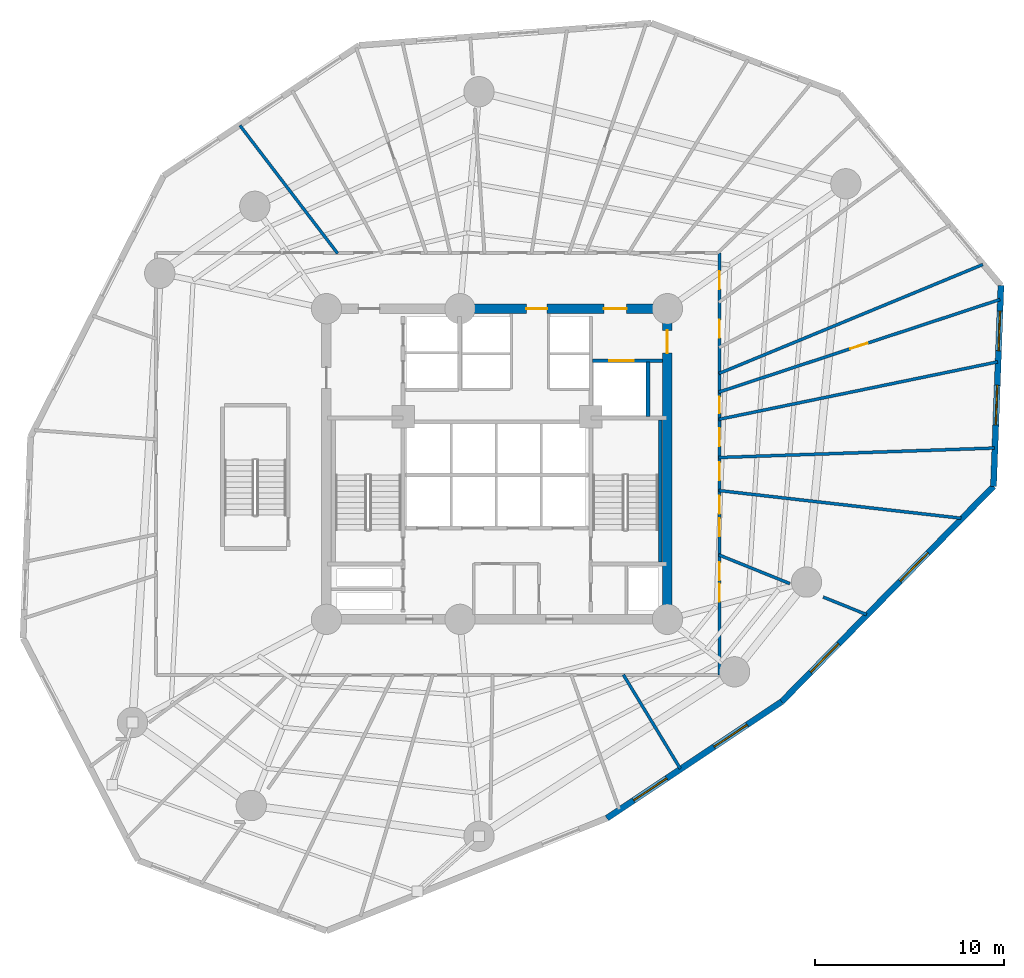
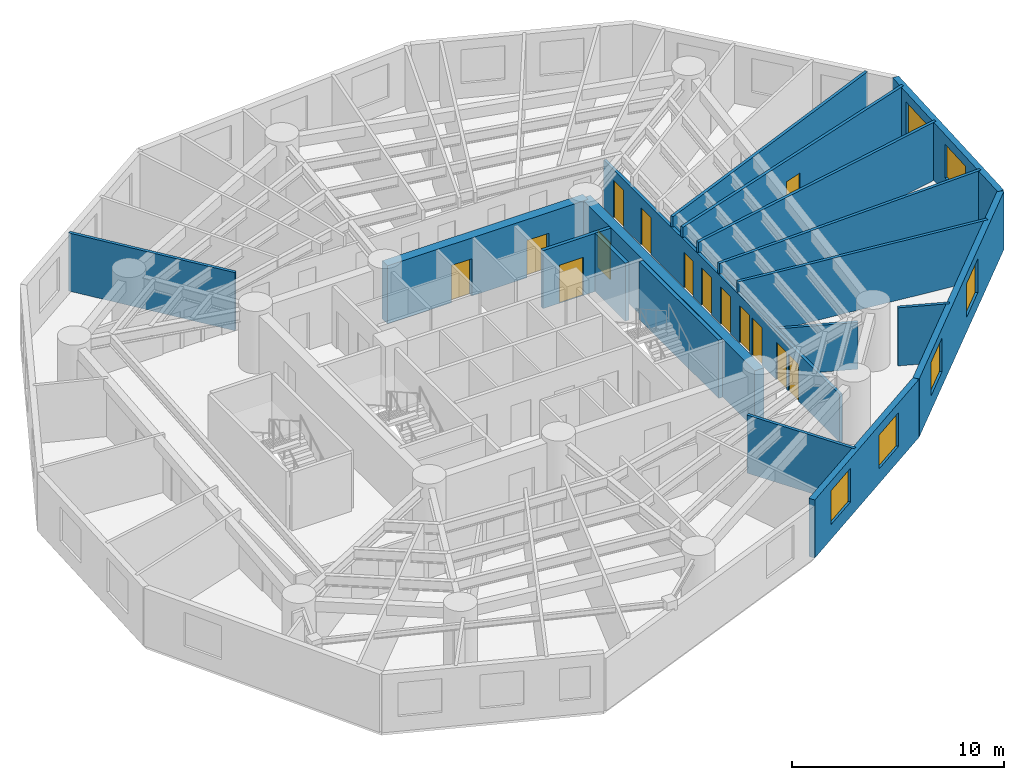
# One storey, part 5 of 8: 18 walls, 14 doors, 6 windows, 20 openings.
"""IFC4 building model written with IfcOpenShell, lengths in metres."""

from ifc_helpers import new_model, si_unit, direction, frame, frame_2d, origin, origin_with_axes, place, context, subcontext, project, spatial, rectangle, extrude, source, transform, mapped, material, layer, layer_set, type_object, element, fill, save


model = new_model("IFC4")

# Units and contexts
model_context = context("Model", 3, precision=1e-05, world=origin(), true_north=direction((0.0, 1.0)))
body_context = subcontext(model_context, "Body", "Model", "MODEL_VIEW")
ifc_project = project(units=[si_unit("LENGTHUNIT", "METRE"), si_unit("AREAUNIT", "SQUARE_METRE"), si_unit("VOLUMEUNIT", "CUBIC_METRE"), si_unit("PLANEANGLEUNIT", "RADIAN"), si_unit("MASSUNIT", "GRAM", prefix="KILO")], contexts=[model_context])

# Site, building, storey
site_placement = place(None, origin())
site = spatial("IfcSite", under=ifc_project, at=site_placement, CompositionType="ELEMENT")
building_placement = place(site_placement, origin())
building = spatial("IfcBuilding", under=site, at=building_placement, Name="Karkom Vertical University and Central Library", CompositionType="ELEMENT")
storey_placement = place(building_placement, frame((0.0, 0.0, 40.89990234375)))
storey = spatial("IfcBuildingStorey", under=building, at=storey_placement, Name="L10", CompositionType="ELEMENT", Elevation=40.89990234375)

# Wall, openings, windows
ifc_material_1 = material(Name="Brick-faced precast concrete C45/55", Category="masonry")
ifc_layer_1 = layer(ifc_material_1, 0.320068359375)
ifc_layer_set_1 = layer_set([ifc_layer_1], Name="Brick-faced precast concrete C45/55")
wall_type_1 = type_object("IfcWallType", Name="ENV-WL-BRK-320", PredefinedType="SOLIDWALL", material=ifc_layer_set_1)
wall_1_placement = place(storey_placement, frame((34.298828125, 7.797119140625, 0.0), z_axis=(0.0, 0.0, 1.0), x_axis=(0.832151862044, 0.554547814437, 0.0)))
wall_1 = element("IfcWall", 1, at=wall_1_placement, inside=storey, type_object=wall_type_1, Name="Level 10 Brick-Faced Precast Facade Wall 07", PredefinedType="SOLIDWALL", context=body_context, shape_type="SweptSolid", body=[
    extrude(rectangle(XDim=11.092529296875, YDim=0.320068359375, at=frame_2d((5.54638671875, 0.0))), origin(), (0.0, 0.0, 1.0), 3.35009765625),
])
opening_1_placement = place(wall_1_placement, frame((1.701171875, 0.0, 0.85009765625)))
opening_1 = element("IfcOpeningElement", 2, at=opening_1_placement, cuts=wall_1, Name="Opening WN-03", PredefinedType="OPENING", context=body_context, shape_type="SweptSolid", body=[
    extrude(rectangle(XDim=2.10009765625, YDim=1.949951171875, at=frame_2d((1.050048828125, 0.97509765625))), frame((0.0, 0.169921875, 0.0), z_axis=(0.0, -1.0, 0.0), x_axis=(1.0, 0.0, 0.0)), (0.0, 0.0, 1.0), 0.340087890625),
])
opening_2_placement = place(wall_1_placement, frame((6.80859375, 0.0, 0.85009765625)))
opening_2 = element("IfcOpeningElement", 3, at=opening_2_placement, cuts=wall_1, Name="Opening WN-03", PredefinedType="OPENING", context=body_context, shape_type="SweptSolid", body=[
    extrude(rectangle(XDim=2.10009765625, YDim=1.949951171875, at=frame_2d((1.050048828125, 0.97509765625))), frame((0.0, 0.169921875, 0.0), z_axis=(0.0, -1.0, 0.0), x_axis=(1.0, 0.0, 0.0)), (0.0, 0.0, 1.0), 0.340087890625),
])
ifc_material_2 = material(Name="Aluminium thermal-break frame with solar-control IGU", Category="aluminium")
window_type = type_object("IfcWindowType", Name="ENV-WIN-WN-03", PartitioningType="SINGLE_PANEL", PredefinedType="WINDOW", material=ifc_material_2)
shared_shape_1 = source(origin_with_axes(), body_context, "Body", "SweptSolid", [
    extrude(rectangle(XDim=2.10009765625, YDim=1.949951171875, at=frame_2d((1.050048828125, 0.97509765625))), frame((0.0, 0.030029296875, 0.0), z_axis=(0.0, -1.0, 0.0), x_axis=(1.0, 0.0, 0.0)), (0.0, 0.0, 1.0), 0.06005859375),
])
window_1_placement = place(opening_1_placement, origin())
window_1 = element("IfcWindow", 4, at=window_1_placement, inside=storey, type_object=window_type, Name="Level 10 Punched Window 7.1", OverallHeight=1.949951171875, OverallWidth=2.10009765625, PartitioningType="SINGLE_PANEL", PredefinedType="WINDOW", context=body_context, shape_type="MappedRepresentation", body=[
    mapped(shared_shape_1, transform((0.0, 0.0, 0.0), scale=1.0)),
])
fill(opening_1, window_1)
window_2_placement = place(opening_2_placement, origin())
window_2 = element("IfcWindow", 5, at=window_2_placement, inside=storey, type_object=window_type, Name="Level 10 Punched Window 7.2", OverallHeight=1.949951171875, OverallWidth=2.10009765625, PartitioningType="SINGLE_PANEL", PredefinedType="WINDOW", context=body_context, shape_type="MappedRepresentation", body=[
    mapped(shared_shape_1, transform((0.0, 0.0, 0.0), scale=1.0)),
])
fill(opening_2, window_2)

wall_2_placement = place(storey_placement, frame((43.529541015625, 13.948486328125, 0.0), z_axis=(0.0, 0.0, 1.0), x_axis=(0.701274555257, 0.712891294763, 0.0)))
wall_2 = element("IfcWall", 6, at=wall_2_placement, inside=storey, type_object=wall_type_1, Name="Level 10 Brick-Faced Precast Facade Wall 08", PredefinedType="SOLIDWALL", context=body_context, shape_type="SweptSolid", body=[
    extrude(rectangle(XDim=15.951416015625, YDim=0.320068359375, at=frame_2d((7.9755859375, 0.0))), origin(), (0.0, 0.0, 1.0), 3.35009765625),
])
opening_3_placement = place(wall_2_placement, frame((2.186767578125, 0.0, 0.85009765625)))
opening_3 = element("IfcOpeningElement", 7, at=opening_3_placement, cuts=wall_2, Name="Opening WN-03", PredefinedType="OPENING", context=body_context, shape_type="SweptSolid", body=[
    extrude(rectangle(XDim=2.10009765625, YDim=1.949951171875, at=frame_2d((1.050048828125, 0.97509765625))), frame((0.0, 0.169921875, 0.0), z_axis=(0.0, -1.0, 0.0), x_axis=(1.0, 0.0, 0.0)), (0.0, 0.0, 1.0), 0.340087890625),
])
opening_4_placement = place(wall_2_placement, frame((8.923095703125, 0.0, 0.85009765625)))
opening_4 = element("IfcOpeningElement", 8, at=opening_4_placement, cuts=wall_2, Name="Opening WN-03", PredefinedType="OPENING", context=body_context, shape_type="SweptSolid", body=[
    extrude(rectangle(XDim=2.10009765625, YDim=1.949951171875, at=frame_2d((1.050048828125, 0.97509765625))), frame((0.0, 0.169921875, 0.0), z_axis=(0.0, -1.0, 0.0), x_axis=(1.0, 0.0, 0.0)), (0.0, 0.0, 1.0), 0.340087890625),
])
window_3_placement = place(opening_3_placement, origin())
window_3 = element("IfcWindow", 9, at=window_3_placement, inside=storey, type_object=window_type, Name="Level 10 Punched Window 8.1", OverallHeight=1.949951171875, OverallWidth=2.10009765625, PartitioningType="SINGLE_PANEL", PredefinedType="WINDOW", context=body_context, shape_type="MappedRepresentation", body=[
    mapped(shared_shape_1, transform((0.0, 0.0, 0.0), scale=1.0)),
])
fill(opening_3, window_3)
window_4_placement = place(opening_4_placement, origin())
window_4 = element("IfcWindow", 10, at=window_4_placement, inside=storey, type_object=window_type, Name="Level 10 Punched Window 8.2", OverallHeight=1.949951171875, OverallWidth=2.10009765625, PartitioningType="SINGLE_PANEL", PredefinedType="WINDOW", context=body_context, shape_type="MappedRepresentation", body=[
    mapped(shared_shape_1, transform((0.0, 0.0, 0.0), scale=1.0)),
])
fill(opening_4, window_4)

wall_3_placement = place(storey_placement, frame((54.7158203125, 25.320068359375, 0.0), z_axis=(0.0, 0.0, 1.0), x_axis=(0.037084791295, 0.99931212254, 0.0)))
wall_3 = element("IfcWall", 11, at=wall_3_placement, inside=storey, type_object=wall_type_1, Name="Level 10 Brick-Faced Precast Facade Wall 09", PredefinedType="SOLIDWALL", context=body_context, shape_type="SweptSolid", body=[
    extrude(rectangle(XDim=10.618896484375, YDim=0.320068359375, at=frame_2d((5.3095703125, 0.0))), origin(), (0.0, 0.0, 1.0), 3.35009765625),
])
opening_5_placement = place(wall_3_placement, frame((3.244873046875, 0.0, 0.85009765625)))
opening_5 = element("IfcOpeningElement", 12, at=opening_5_placement, cuts=wall_3, Name="Opening WN-03", PredefinedType="OPENING", context=body_context, shape_type="SweptSolid", body=[
    extrude(rectangle(XDim=2.10009765625, YDim=1.949951171875, at=frame_2d((1.050048828125, 0.97509765625))), frame((0.0, 0.169921875, 0.0), z_axis=(0.0, -1.0, 0.0), x_axis=(1.0, 0.0, 0.0)), (0.0, 0.0, 1.0), 0.340087890625),
])
opening_6_placement = place(wall_3_placement, frame((7.1640625, 0.0, 0.85009765625)))
opening_6 = element("IfcOpeningElement", 13, at=opening_6_placement, cuts=wall_3, Name="Opening WN-03", PredefinedType="OPENING", context=body_context, shape_type="SweptSolid", body=[
    extrude(rectangle(XDim=2.10009765625, YDim=1.949951171875, at=frame_2d((1.050048828125, 0.97509765625))), frame((0.0, 0.169921875, 0.0), z_axis=(0.0, -1.0, 0.0), x_axis=(1.0, 0.0, 0.0)), (0.0, 0.0, 1.0), 0.340087890625),
])
window_5_placement = place(opening_5_placement, origin())
window_5 = element("IfcWindow", 14, at=window_5_placement, inside=storey, type_object=window_type, Name="Level 10 Punched Window 9.1", OverallHeight=1.949951171875, OverallWidth=2.10009765625, PartitioningType="SINGLE_PANEL", PredefinedType="WINDOW", context=body_context, shape_type="MappedRepresentation", body=[
    mapped(shared_shape_1, transform((0.0, 0.0, 0.0), scale=1.0)),
])
fill(opening_5, window_5)
window_6_placement = place(opening_6_placement, origin())
window_6 = element("IfcWindow", 15, at=window_6_placement, inside=storey, type_object=window_type, Name="Level 10 Punched Window 9.2", OverallHeight=1.949951171875, OverallWidth=2.10009765625, PartitioningType="SINGLE_PANEL", PredefinedType="WINDOW", context=body_context, shape_type="MappedRepresentation", body=[
    mapped(shared_shape_1, transform((0.0, 0.0, 0.0), scale=1.0)),
])
fill(opening_6, window_6)

# Wall, openings, doors
ifc_material_3 = material(Name="Insulated metal-stud drywall 160mm", Category="gypsum")
ifc_layer_2 = layer(ifc_material_3, 0.159912109375)
ifc_layer_set_2 = layer_set([ifc_layer_2], Name="Insulated metal-stud drywall 160mm")
wall_type_2 = type_object("IfcWallType", Name="INT-WL-COR-160", PredefinedType="PARTITIONING", material=ifc_layer_set_2)
wall_4_placement = place(storey_placement, frame((40.25, 37.64990234375, 0.0), z_axis=(0.0, 0.0, 1.0), x_axis=(0.0, -1.0, 0.0)))
wall_4 = element("IfcWall", 16, at=wall_4_placement, inside=storey, type_object=wall_type_2, Name="Level 10 Interior Partition Wall L10-CORW-CW-004", PredefinedType="PARTITIONING", context=body_context, shape_type="SweptSolid", body=[
    extrude(rectangle(XDim=22.2998046875, YDim=0.159912109375, at=frame_2d((11.14990234375, 0.0))), origin(), (0.0, 0.0, 1.0), 2.75),
])
opening_7_placement = place(wall_4_placement, frame((16.340087890625, 0.0, 0.0)))
opening_7 = element("IfcOpeningElement", 17, at=opening_7_placement, cuts=wall_4, Name="Opening D-RM1", PredefinedType="OPENING", context=body_context, shape_type="SweptSolid", body=[
    extrude(rectangle(XDim=0.949951171875, YDim=2.14990234375, at=frame_2d((0.47509765625, 1.074951171875))), frame((0.0, 0.08984375, 0.0), z_axis=(0.0, -1.0, 0.0), x_axis=(1.0, 0.0, 0.0)), (0.0, 0.0, 1.0), 0.179931640625),
])
opening_8_placement = place(wall_4_placement, frame((14.02001953125, 0.0, 0.0)))
opening_8 = element("IfcOpeningElement", 18, at=opening_8_placement, cuts=wall_4, Name="Opening D-RM1", PredefinedType="OPENING", context=body_context, shape_type="SweptSolid", body=[
    extrude(rectangle(XDim=0.949951171875, YDim=2.14990234375, at=frame_2d((0.47509765625, 1.074951171875))), frame((0.0, 0.08984375, 0.0), z_axis=(0.0, -1.0, 0.0), x_axis=(1.0, 0.0, 0.0)), (0.0, 0.0, 1.0), 0.179931640625),
])
opening_9_placement = place(wall_4_placement, frame((11.06494140625, 0.0, 0.0)))
opening_9 = element("IfcOpeningElement", 19, at=opening_9_placement, cuts=wall_4, Name="Opening D-RM1", PredefinedType="OPENING", context=body_context, shape_type="SweptSolid", body=[
    extrude(rectangle(XDim=0.949951171875, YDim=2.14990234375, at=frame_2d((0.47509765625, 1.074951171875))), frame((0.0, 0.08984375, 0.0), z_axis=(0.0, -1.0, 0.0), x_axis=(1.0, 0.0, 0.0)), (0.0, 0.0, 1.0), 0.179931640625),
])
opening_10_placement = place(wall_4_placement, frame((9.251708984375, 0.0, 0.0)))
opening_10 = element("IfcOpeningElement", 20, at=opening_10_placement, cuts=wall_4, Name="Opening D-RM1", PredefinedType="OPENING", context=body_context, shape_type="SweptSolid", body=[
    extrude(rectangle(XDim=0.949951171875, YDim=2.14990234375, at=frame_2d((0.47509765625, 1.074951171875))), frame((0.0, 0.08984375, 0.0), z_axis=(0.0, -1.0, 0.0), x_axis=(1.0, 0.0, 0.0)), (0.0, 0.0, 1.0), 0.179931640625),
])
opening_11_placement = place(wall_4_placement, frame((3.5400390625, 0.0, 0.0)))
opening_11 = element("IfcOpeningElement", 21, at=opening_11_placement, cuts=wall_4, Name="Opening D-RM1", PredefinedType="OPENING", context=body_context, shape_type="SweptSolid", body=[
    extrude(rectangle(XDim=0.949951171875, YDim=2.14990234375, at=frame_2d((0.47509765625, 1.074951171875))), frame((0.0, 0.08984375, 0.0), z_axis=(0.0, -1.0, 0.0), x_axis=(1.0, 0.0, 0.0)), (0.0, 0.0, 1.0), 0.179931640625),
])
opening_12_placement = place(wall_4_placement, frame((0.9599609375, 0.0, 0.0)))
opening_12 = element("IfcOpeningElement", 22, at=opening_12_placement, cuts=wall_4, Name="Opening D-RM1", PredefinedType="OPENING", context=body_context, shape_type="SweptSolid", body=[
    extrude(rectangle(XDim=0.949951171875, YDim=2.14990234375, at=frame_2d((0.47509765625, 1.074951171875))), frame((0.0, 0.08984375, 0.0), z_axis=(0.0, -1.0, 0.0), x_axis=(1.0, 0.0, 0.0)), (0.0, 0.0, 1.0), 0.179931640625),
])
opening_13_placement = place(wall_4_placement, frame((12.8369140625, 0.0, 0.0)))
opening_13 = element("IfcOpeningElement", 23, at=opening_13_placement, cuts=wall_4, Name="Opening D-RM1", PredefinedType="OPENING", context=body_context, shape_type="SweptSolid", body=[
    extrude(rectangle(XDim=0.949951171875, YDim=2.14990234375, at=frame_2d((0.47509765625, 1.074951171875))), frame((0.0, 0.08984375, 0.0), z_axis=(0.0, -1.0, 0.0), x_axis=(1.0, 0.0, 0.0)), (0.0, 0.0, 1.0), 0.179931640625),
])
opening_14_placement = place(wall_4_placement, frame((17.46533203125, 0.0, 0.0)))
opening_14 = element("IfcOpeningElement", 24, at=opening_14_placement, cuts=wall_4, Name="Opening D-RM1", PredefinedType="OPENING", context=body_context, shape_type="SweptSolid", body=[
    extrude(rectangle(XDim=0.949951171875, YDim=2.14990234375, at=frame_2d((0.47509765625, 1.074951171875))), frame((0.0, 0.08984375, 0.0), z_axis=(0.0, -1.0, 0.0), x_axis=(1.0, 0.0, 0.0)), (0.0, 0.0, 1.0), 0.179931640625),
])
opening_15_placement = place(wall_4_placement, frame((7.60498046875, 0.0, 0.0)))
opening_15 = element("IfcOpeningElement", 25, at=opening_15_placement, cuts=wall_4, Name="Opening FD-BTH2", PredefinedType="OPENING", context=body_context, shape_type="SweptSolid", body=[
    extrude(rectangle(XDim=0.860107421875, YDim=2.0400390625, at=frame_2d((0.43017578125, 1.02001953125))), frame((0.0, 0.08984375, 0.0), z_axis=(0.0, -1.0, 0.0), x_axis=(1.0, 0.0, 0.0)), (0.0, 0.0, 1.0), 0.179931640625),
])
ifc_material_4 = material(Name="Fire-rated moisture-resistant oak door", Category="wood")
door_type_1 = type_object("IfcDoorType", Name="INT-DR-FBTH2", OperationType="NOTDEFINED", PredefinedType="DOOR", material=ifc_material_4)
shared_shape_2 = source(origin_with_axes(), body_context, "Body", "SweptSolid", [
    extrude(rectangle(XDim=0.860107421875, YDim=2.0400390625, at=frame_2d((0.43017578125, 1.02001953125))), frame((0.0, 0.02490234375, 0.0), z_axis=(0.0, -1.0, 0.0), x_axis=(1.0, 0.0, 0.0)), (0.0, 0.0, 1.0), 0.050048828125),
])
door_1_placement = place(opening_15_placement, origin())
door_1 = element("IfcDoor", 26, at=door_1_placement, inside=storey, type_object=door_type_1, Name="Level 10 Academic Collaborative Study Lounge Entry Door", OperationType="SINGLE_SWING_RIGHT", OverallHeight=2.0400390625, OverallWidth=0.860107421875, PredefinedType="DOOR", context=body_context, shape_type="MappedRepresentation", body=[
    mapped(shared_shape_2, transform((0.0, 0.0, 0.0), scale=1.0)),
])
fill(opening_15, door_1)
ifc_material_5 = material(Name="Solid-core oak veneer door", Category="wood")
door_type_2 = type_object("IfcDoorType", Name="INT-DR-RM1", OperationType="NOTDEFINED", PredefinedType="DOOR", material=ifc_material_5)
shared_shape_3 = source(origin_with_axes(), body_context, "Body", "SweptSolid", [
    extrude(rectangle(XDim=0.949951171875, YDim=2.14990234375, at=frame_2d((0.47509765625, 1.074951171875))), frame((0.0, 0.02490234375, 0.0), z_axis=(0.0, -1.0, 0.0), x_axis=(1.0, 0.0, 0.0)), (0.0, 0.0, 1.0), 0.050048828125),
])
door_2_placement = place(opening_7_placement, origin())
door_2 = element("IfcDoor", 27, at=door_2_placement, inside=storey, type_object=door_type_2, Name="Level 10 Room Entry Door 100", OperationType="SINGLE_SWING_LEFT", OverallHeight=2.14990234375, OverallWidth=0.949951171875, PredefinedType="DOOR", context=body_context, shape_type="MappedRepresentation", body=[
    mapped(shared_shape_3, transform((0.0, 0.0, 0.0), scale=1.0)),
])
fill(opening_7, door_2)
door_3_placement = place(opening_8_placement, origin())
door_3 = element("IfcDoor", 28, at=door_3_placement, inside=storey, type_object=door_type_2, Name="Level 10 Room Entry Door 110", OperationType="SINGLE_SWING_RIGHT", OverallHeight=2.14990234375, OverallWidth=0.949951171875, PredefinedType="DOOR", context=body_context, shape_type="MappedRepresentation", body=[
    mapped(shared_shape_3, transform((0.0, 0.0, 0.0), scale=1.0)),
])
fill(opening_8, door_3)
door_4_placement = place(opening_9_placement, origin())
door_4 = element("IfcDoor", 29, at=door_4_placement, inside=storey, type_object=door_type_2, Name="Level 10 Room Entry Door 120", OperationType="SINGLE_SWING_LEFT", OverallHeight=2.14990234375, OverallWidth=0.949951171875, PredefinedType="DOOR", context=body_context, shape_type="MappedRepresentation", body=[
    mapped(shared_shape_3, transform((0.0, 0.0, 0.0), scale=1.0)),
])
fill(opening_9, door_4)
door_5_placement = place(opening_10_placement, origin())
door_5 = element("IfcDoor", 30, at=door_5_placement, inside=storey, type_object=door_type_2, Name="Level 10 Room Entry Door 130", OperationType="SINGLE_SWING_RIGHT", OverallHeight=2.14990234375, OverallWidth=0.949951171875, PredefinedType="DOOR", context=body_context, shape_type="MappedRepresentation", body=[
    mapped(shared_shape_3, transform((0.0, 0.0, 0.0), scale=1.0)),
])
fill(opening_10, door_5)
door_6_placement = place(opening_11_placement, origin())
door_6 = element("IfcDoor", 31, at=door_6_placement, inside=storey, type_object=door_type_2, Name="Level 10 Room Entry Door 140", OperationType="SINGLE_SWING_LEFT", OverallHeight=2.14990234375, OverallWidth=0.949951171875, PredefinedType="DOOR", context=body_context, shape_type="MappedRepresentation", body=[
    mapped(shared_shape_3, transform((0.0, 0.0, 0.0), scale=1.0)),
])
fill(opening_11, door_6)
door_7_placement = place(opening_12_placement, origin())
door_7 = element("IfcDoor", 32, at=door_7_placement, inside=storey, type_object=door_type_2, Name="Level 10 Room Entry Door 160", OperationType="SINGLE_SWING_RIGHT", OverallHeight=2.14990234375, OverallWidth=0.949951171875, PredefinedType="DOOR", context=body_context, shape_type="MappedRepresentation", body=[
    mapped(shared_shape_3, transform((0.0, 0.0, 0.0), scale=1.0)),
])
fill(opening_12, door_7)
door_8_placement = place(opening_13_placement, origin())
door_8 = element("IfcDoor", 33, at=door_8_placement, inside=storey, type_object=door_type_2, Name="Level 10 Room Entry Door 170", OperationType="SINGLE_SWING_LEFT", OverallHeight=2.14990234375, OverallWidth=0.949951171875, PredefinedType="DOOR", context=body_context, shape_type="MappedRepresentation", body=[
    mapped(shared_shape_3, transform((0.0, 0.0, 0.0), scale=1.0)),
])
fill(opening_13, door_8)
door_9_placement = place(opening_14_placement, origin())
door_9 = element("IfcDoor", 34, at=door_9_placement, inside=storey, type_object=door_type_2, Name="Level 10 Room Entry Door 180", OperationType="SINGLE_SWING_RIGHT", OverallHeight=2.14990234375, OverallWidth=0.949951171875, PredefinedType="DOOR", context=body_context, shape_type="MappedRepresentation", body=[
    mapped(shared_shape_3, transform((0.0, 0.0, 0.0), scale=1.0)),
])
fill(opening_14, door_9)

# Wall, opening, door
wall_5_placement = place(storey_placement, frame((40.207275390625, 30.294189453125, 0.0), z_axis=(0.0, 0.0, 1.0), x_axis=(0.949766327696, 0.31295993797, 0.0)))
wall_5 = element("IfcWall", 35, at=wall_5_placement, inside=storey, type_object=wall_type_2, Name="Level 10 Interior Partition Wall L10-PW-021", PredefinedType="PARTITIONING", context=body_context, shape_type="SweptSolid", body=[
    extrude(rectangle(XDim=15.630859375, YDim=0.159912109375, at=frame_2d((7.8154296875, 0.0))), origin(), (0.0, 0.0, 1.0), 3.35009765625),
])
opening_16_placement = place(wall_5_placement, frame((7.3154296875, 0.0, 0.0)))
opening_16 = element("IfcOpeningElement", 36, at=opening_16_placement, cuts=wall_5, Name="Opening D-RM1", PredefinedType="OPENING", context=body_context, shape_type="SweptSolid", body=[
    extrude(rectangle(XDim=0.949951171875, YDim=2.14990234375, at=frame_2d((0.47509765625, 1.074951171875))), frame((0.0, 0.08984375, 0.0), z_axis=(0.0, -1.0, 0.0), x_axis=(1.0, 0.0, 0.0)), (0.0, 0.0, 1.0), 0.179931640625),
])
door_10_placement = place(opening_16_placement, origin())
door_10 = element("IfcDoor", 37, at=door_10_placement, inside=storey, type_object=door_type_2, Name="Level 10 Room Entry Door 150", OperationType="SINGLE_SWING_LEFT", OverallHeight=2.14990234375, OverallWidth=0.949951171875, PredefinedType="DOOR", context=body_context, shape_type="MappedRepresentation", body=[
    mapped(shared_shape_3, transform((0.0, 0.0, 0.0), scale=1.0)),
])
fill(opening_16, door_10)

# Walls
wall_6_placement = place(storey_placement, frame((40.222412109375, 31.2783203125, 0.0), z_axis=(0.0, 0.0, 1.0), x_axis=(0.924216059617, 0.381869971517, 0.0)))
element("IfcWall", 38, at=wall_6_placement, inside=storey, type_object=wall_type_2, Name="Level 10 Interior Partition Wall L10-PW-022", PredefinedType="PARTITIONING", context=body_context, shape_type="SweptSolid", body=[
    extrude(rectangle(XDim=15.069091796875, YDim=0.159912109375, at=frame_2d((7.53466796875, 0.0))), origin(), (0.0, 0.0, 1.0), 3.35009765625),
])
wall_7_placement = place(storey_placement, frame((40.220703125, 28.857421875, 0.0), z_axis=(0.0, 0.0, 1.0), x_axis=(0.979362809726, 0.202110086154, 0.0)))
element("IfcWall", 39, at=wall_7_placement, inside=storey, type_object=wall_type_2, Name="Level 10 Interior Partition Wall L10-PW-020", PredefinedType="PARTITIONING", context=body_context, shape_type="SweptSolid", body=[
    extrude(rectangle(XDim=15.022216796875, YDim=0.159912109375, at=frame_2d((7.51123046875, 0.0))), origin(), (0.0, 0.0, 1.0), 3.35009765625),
])
wall_8_placement = place(storey_placement, frame((40.205078125, 26.84228515625, 0.0), z_axis=(0.0, 0.0, 1.0), x_axis=(0.999409219027, 0.034368778327, 0.0)))
element("IfcWall", 40, at=wall_8_placement, inside=storey, type_object=wall_type_2, Name="Level 10 Interior Partition Wall L10-PW-019", PredefinedType="PARTITIONING", context=body_context, shape_type="SweptSolid", body=[
    extrude(rectangle(XDim=14.5693359375, YDim=0.159912109375, at=frame_2d((7.28466796875, 0.0))), origin(), (0.0, 0.0, 1.0), 3.35009765625),
])
wall_9_placement = place(storey_placement, frame((40.22021484375, 25.10009765625, 0.0), z_axis=(0.0, 0.0, 1.0), x_axis=(0.993530165608, -0.113568525689, 0.0)))
element("IfcWall", 41, at=wall_9_placement, inside=storey, type_object=wall_type_2, Name="Level 10 Interior Partition Wall L10-PW-018", PredefinedType="PARTITIONING", context=body_context, shape_type="SweptSolid", body=[
    extrude(rectangle(XDim=12.870361328125, YDim=0.159912109375, at=frame_2d((6.43505859375, 0.0))), origin(), (0.0, 0.0, 1.0), 3.35009765625),
])
wall_10_placement = place(storey_placement, frame((20.09130859375, 37.6142578125, 0.0), z_axis=(0.0, 0.0, 1.0), x_axis=(-0.606768271493, 0.794878773593, 0.0)))
element("IfcWall", 42, at=wall_10_placement, inside=storey, type_object=wall_type_2, Name="Level 10 Interior Partition Wall L10-PW-037", PredefinedType="PARTITIONING", context=body_context, shape_type="SweptSolid", body=[
    extrude(rectangle(XDim=8.5087890625, YDim=0.159912109375, at=frame_2d((4.25439453125, 0.0))), origin(), (0.0, 0.0, 1.0), 3.35009765625),
])
wall_11_placement = place(storey_placement, frame((35.17431640625, 15.375732421875, 0.0), z_axis=(0.0, 0.0, 1.0), x_axis=(0.518438816118, -0.855114725603, 0.0)))
element("IfcWall", 43, at=wall_11_placement, inside=storey, type_object=wall_type_2, Name="Level 10 Interior Partition Wall L10-PW-015", PredefinedType="PARTITIONING", context=body_context, shape_type="SweptSolid", body=[
    extrude(rectangle(XDim=5.80126953125, YDim=0.159912109375, at=frame_2d((2.900634765625, 0.0))), origin(), (0.0, 0.0, 1.0), 3.35009765625),
])
wall_12_placement = place(storey_placement, frame((40.208251953125, 21.705322265625, 0.0), z_axis=(0.0, 0.0, 1.0), x_axis=(0.927189869885, -0.374591704638, 0.0)))
element("IfcWall", 44, at=wall_12_placement, inside=storey, type_object=wall_type_2, Name="Level 10 Interior Partition Wall L10-PW-016", PredefinedType="PARTITIONING", context=body_context, shape_type="SweptSolid", body=[
    extrude(rectangle(XDim=4.04736328125, YDim=0.159912109375, at=frame_2d((2.023681640625, 0.0))), origin(), (0.0, 0.0, 1.0), 2.7001953125),
])
wall_13_placement = place(storey_placement, frame((45.720947265625, 19.478271484375, 0.0), z_axis=(0.0, 0.0, 1.0), x_axis=(0.927185172815, -0.374603330621, 0.0)))
element("IfcWall", 45, at=wall_13_placement, inside=storey, type_object=wall_type_2, Name="Level 10 Interior Partition Wall L10-PW-017", PredefinedType="PARTITIONING", context=body_context, shape_type="SweptSolid", body=[
    extrude(rectangle(XDim=2.474609375, YDim=0.159912109375, at=frame_2d((1.2373046875, 0.0))), origin(), (0.0, 0.0, 1.0), 3.35009765625),
])

# Wall, opening, door
ifc_material_6 = material(Name="Twin-stud acoustic drywall 180mm", Category="gypsum")
ifc_layer_3 = layer(ifc_material_6, 0.179931640625)
ifc_layer_set_3 = layer_set([ifc_layer_3], Name="Twin-stud acoustic drywall 180mm")
wall_type_3 = type_object("IfcWallType", Name="INT-WL-TEN-180F", PredefinedType="PARTITIONING", material=ifc_layer_set_3)
wall_14_placement = place(storey_placement, frame((33.534912109375, 31.949951171875, 0.0), z_axis=(0.0, 0.0, 1.0), x_axis=(1.0, 0.0, 0.0)))
wall_14 = element("IfcWall", 46, at=wall_14_placement, inside=storey, type_object=wall_type_3, Name="Level 10 Interior Partition Wall L10-CW-SVL-N", PredefinedType="PARTITIONING", context=body_context, shape_type="SweptSolid", body=[
    extrude(rectangle(XDim=3.708740234375, YDim=0.179931640625, at=frame_2d((1.8544921875, 0.0))), origin(), (0.0, 0.0, 1.0), 3.35009765625),
])
opening_17_placement = place(wall_14_placement, frame((0.89990234375, 0.0, 0.0)))
opening_17 = element("IfcOpeningElement", 47, at=opening_17_placement, cuts=wall_14, Name="Opening LD-SV1", PredefinedType="OPENING", context=body_context, shape_type="SweptSolid", body=[
    extrude(rectangle(XDim=1.300048828125, YDim=2.199951171875, at=frame_2d((0.64990234375, 1.10009765625))), frame((0.0, 0.10009765625, 0.0), z_axis=(0.0, -1.0, 0.0), x_axis=(1.0, 0.0, 0.0)), (0.0, 0.0, 1.0), 0.199951171875),
])
ifc_material_7 = material(Name="Brushed stainless-steel landing door", Category="steel")
door_type_3 = type_object("IfcDoorType", Name="INT-DR-LD-SV1", OperationType="SLIDING_TO_LEFT", PredefinedType="DOOR", material=ifc_material_7)
shared_shape_4 = source(origin_with_axes(), body_context, "Body", "SweptSolid", [
    extrude(rectangle(XDim=1.300048828125, YDim=2.199951171875, at=frame_2d((0.64990234375, 1.10009765625))), frame((0.0, 0.02490234375, 0.0), z_axis=(0.0, -1.0, 0.0), x_axis=(1.0, 0.0, 0.0)), (0.0, 0.0, 1.0), 0.050048828125),
])
door_11_placement = place(opening_17_placement, origin())
door_11 = element("IfcDoor", 48, at=door_11_placement, inside=storey, type_object=door_type_3, Name="Level 10 Service Lift Landing Door LD-SV1", OperationType="SLIDING_TO_LEFT", OverallHeight=2.199951171875, OverallWidth=1.300048828125, PredefinedType="DOOR", context=body_context, shape_type="MappedRepresentation", body=[
    mapped(shared_shape_4, transform((0.0, 0.0, 0.0), scale=1.0)),
])
fill(opening_17, door_11)

ifc_material_8 = material(Name="Concrete C50/60", Category="concrete")
ifc_layer_4 = layer(ifc_material_8, 0.5)
ifc_layer_set_4 = layer_set([ifc_layer_4], Name="Concrete C50/60")
wall_type_4 = type_object("IfcWallType", Name="STR-WL-CW-500", PredefinedType="SHEAR", material=ifc_layer_set_4)
wall_15_placement = place(storey_placement, frame((37.5, 18.300048828125, 0.0), z_axis=(0.0, 0.0, 1.0), x_axis=(0.0, 1.0, 0.0)))
wall_15 = element("IfcWall", 49, at=wall_15_placement, inside=storey, type_object=wall_type_4, Name="Level 10 Central Core Shear Wall EW", PredefinedType="SHEAR", context=body_context, shape_type="SweptSolid", body=[
    extrude(rectangle(XDim=16.39990234375, YDim=0.5, at=frame_2d((8.199951171875, 0.0))), origin(), (0.0, 0.0, 1.0), 3.35009765625),
])
opening_18_placement = place(wall_15_placement, frame((14.06005859375, 0.0, 0.0)))
opening_18 = element("IfcOpeningElement", 50, at=opening_18_placement, cuts=wall_15, Name="Opening FD-SUB1", PredefinedType="OPENING", context=body_context, shape_type="SweptSolid", body=[
    extrude(rectangle(XDim=1.199951171875, YDim=2.14990234375, at=frame_2d((0.60009765625, 1.074951171875))), frame((0.0, 0.260009765625, 0.0), z_axis=(0.0, -1.0, 0.0), x_axis=(1.0, 0.0, 0.0)), (0.0, 0.0, 1.0), 0.52001953125),
])
ifc_material_9 = material(Name="Painted steel fire door", Category="steel")
door_type_4 = type_object("IfcDoorType", Name="INT-DR-SUB1", OperationType="NOTDEFINED", PredefinedType="DOOR", material=ifc_material_9)
shared_shape_5 = source(origin_with_axes(), body_context, "Body", "SweptSolid", [
    extrude(rectangle(XDim=1.199951171875, YDim=2.14990234375, at=frame_2d((0.60009765625, 1.074951171875))), frame((0.0, 0.02490234375, 0.0), z_axis=(0.0, -1.0, 0.0), x_axis=(1.0, 0.0, 0.0)), (0.0, 0.0, 1.0), 0.050048828125),
])
door_12_placement = place(opening_18_placement, origin())
door_12 = element("IfcDoor", 51, at=door_12_placement, inside=storey, type_object=door_type_4, Name="Level 10 East Corridor Service Lobby Door", OperationType="SINGLE_SWING_RIGHT", OverallHeight=2.14990234375, OverallWidth=1.199951171875, PredefinedType="DOOR", context=body_context, shape_type="MappedRepresentation", body=[
    mapped(shared_shape_5, transform((0.0, 0.0, 0.0), scale=1.0)),
])
fill(opening_18, door_12)

# Wall, openings, doors
wall_16_placement = place(storey_placement, frame((37.5, 34.699951171875, 0.0), z_axis=(0.0, 0.0, 1.0), x_axis=(-1.0, 0.0, 0.0)))
wall_16 = element("IfcWall", 52, at=wall_16_placement, inside=storey, type_object=wall_type_4, Name="Level 10 Central Core Shear Wall NW1", PredefinedType="SHEAR", context=body_context, shape_type="SweptSolid", body=[
    extrude(rectangle(XDim=10.949951171875, YDim=0.5, at=frame_2d((5.47509765625, 0.0))), origin(), (0.0, 0.0, 1.0), 3.35009765625),
])
opening_19_placement = place(wall_16_placement, frame((2.14990234375, 0.0, 0.0)))
opening_19 = element("IfcOpeningElement", 53, at=opening_19_placement, cuts=wall_16, Name="Opening FD-SUB1", PredefinedType="OPENING", context=body_context, shape_type="SweptSolid", body=[
    extrude(rectangle(XDim=1.199951171875, YDim=2.14990234375, at=frame_2d((0.60009765625, 1.074951171875))), frame((0.0, 0.260009765625, 0.0), z_axis=(0.0, -1.0, 0.0), x_axis=(1.0, 0.0, 0.0)), (0.0, 0.0, 1.0), 0.52001953125),
])
opening_20_placement = place(wall_16_placement, frame((6.35009765625, 0.0, 0.0)))
opening_20 = element("IfcOpeningElement", 54, at=opening_20_placement, cuts=wall_16, Name="Opening FD-FFL", PredefinedType="OPENING", context=body_context, shape_type="SweptSolid", body=[
    extrude(rectangle(XDim=1.10009765625, YDim=2.14990234375, at=frame_2d((0.550048828125, 1.074951171875))), frame((0.0, 0.260009765625, 0.0), z_axis=(0.0, -1.0, 0.0), x_axis=(1.0, 0.0, 0.0)), (0.0, 0.0, 1.0), 0.52001953125),
])
ifc_material_10 = material(Name="Painted steel smoke-seal fire door", Category="steel")
door_type_5 = type_object("IfcDoorType", Name="INT-DR-FFL", OperationType="NOTDEFINED", PredefinedType="DOOR", material=ifc_material_10)
shared_shape_6 = source(origin_with_axes(), body_context, "Body", "SweptSolid", [
    extrude(rectangle(XDim=1.10009765625, YDim=2.14990234375, at=frame_2d((0.550048828125, 1.074951171875))), frame((0.0, 0.02490234375, 0.0), z_axis=(0.0, -1.0, 0.0), x_axis=(1.0, 0.0, 0.0)), (0.0, 0.0, 1.0), 0.050048828125),
])
door_13_placement = place(opening_20_placement, origin())
door_13 = element("IfcDoor", 55, at=door_13_placement, inside=storey, type_object=door_type_5, Name="Level 10 North Core Lobby Exit Door", OperationType="SINGLE_SWING_LEFT", OverallHeight=2.14990234375, OverallWidth=1.10009765625, PredefinedType="DOOR", context=body_context, shape_type="MappedRepresentation", body=[
    mapped(shared_shape_6, transform((0.0, 0.0, 0.0), scale=1.0)),
])
fill(opening_20, door_13)
door_14_placement = place(opening_19_placement, origin())
door_14 = element("IfcDoor", 56, at=door_14_placement, inside=storey, type_object=door_type_4, Name="Level 10 Service Lobby Fire Door", OperationType="SINGLE_SWING_LEFT", OverallHeight=2.14990234375, OverallWidth=1.199951171875, PredefinedType="DOOR", context=body_context, shape_type="MappedRepresentation", body=[
    mapped(shared_shape_5, transform((0.0, 0.0, 0.0), scale=1.0)),
])
fill(opening_19, door_14)

# Walls
ifc_material_11 = material(Name="Concrete C45/55", Category="concrete")
ifc_layer_5 = layer(ifc_material_11, 0.199951171875)
ifc_layer_set_5 = layer_set([ifc_layer_5], Name="Concrete C45/55")
wall_type_5 = type_object("IfcWallType", Name="STR-WL-ST-200", PredefinedType="SHEAR", material=ifc_layer_set_5)
wall_17_placement = place(storey_placement, frame((37.125, 21.320068359375, 0.0), z_axis=(0.0, 0.0, 1.0), x_axis=(0.0, 1.0, 0.0)))
element("IfcWall", 57, at=wall_17_placement, inside=storey, type_object=wall_type_5, Name="Level 10 Core Shaft Wall L10-CW-ST2-E", PredefinedType="SHEAR", context=body_context, shape_type="SweptSolid", body=[
    extrude(rectangle(XDim=7.5, YDim=0.199951171875, at=frame_2d((3.75, 0.0))), origin(), (0.0, 0.0, 1.0), 3.35009765625),
])
wall_18_placement = place(storey_placement, frame((36.47998046875, 29.02001953125, 0.0), z_axis=(0.0, 0.0, 1.0), x_axis=(0.0, 1.0, 0.0)))
element("IfcWall", 58, at=wall_18_placement, inside=storey, type_object=wall_type_5, Name="Level 10 Core Shaft Wall L10-CW-SVL-E", PredefinedType="SHEAR", context=body_context, shape_type="SweptSolid", body=[
    extrude(rectangle(XDim=2.85986328125, YDim=0.199951171875, at=frame_2d((1.429931640625, 0.0))), origin(), (0.0, 0.0, 1.0), 3.35009765625),
])

save(model, "model.ifc")
